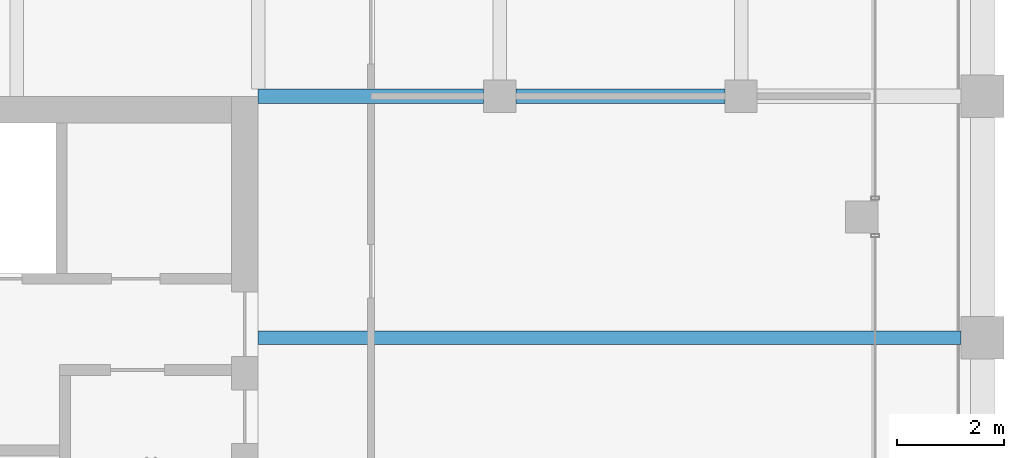
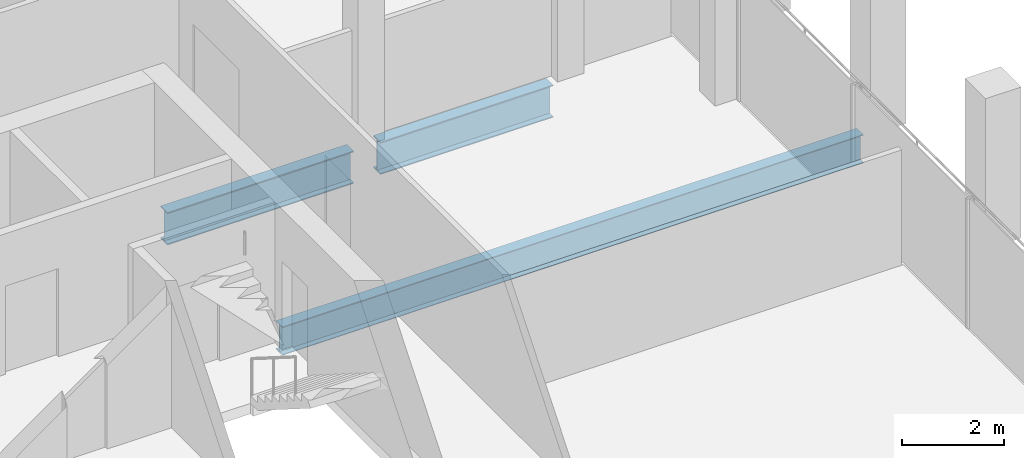
# One storey, part 18 of 30: 3 beams.
"""IFC4 building model written with IfcOpenShell, lengths in metres."""

from ifc_helpers import new_model, si_unit, direction, frame, origin, origin_2d, place, context, subcontext, project, spatial, i_section, extrude, material, material_profile, profile_set, type_object, element, save


model = new_model("IFC4")

# Units and contexts
model_context = context("Model", 3, precision=1e-05, world=origin(), true_north=direction((0.0, 1.0)))
body_context = subcontext(model_context, "Body", "Model", "MODEL_VIEW")
ifc_project = project(units=[si_unit("LENGTHUNIT", "METRE"), si_unit("AREAUNIT", "SQUARE_METRE"), si_unit("VOLUMEUNIT", "CUBIC_METRE"), si_unit("PLANEANGLEUNIT", "RADIAN"), si_unit("MASSUNIT", "GRAM", prefix="KILO")], contexts=[model_context])

# Site, building, storey
site_placement = place(None, origin())
site = spatial("IfcSite", under=ifc_project, at=site_placement, CompositionType="ELEMENT")
building_placement = place(site_placement, origin())
building = spatial("IfcBuilding", under=site, at=building_placement, Name="Altepetl Exchange Towers", CompositionType="ELEMENT")
storey_placement = place(building_placement, frame((0.0, 0.0, 231.60009765625)))
storey = spatial("IfcBuildingStorey", under=building, at=storey_placement, Name="L59", CompositionType="ELEMENT", Elevation=231.60009765625)

# Beams
ifc_material = material(Name="Steel S355", Category="steel")
ifc_material_profile_1 = material_profile(ifc_material, i_section(OverallWidth=0.2529296875, OverallDepth=0.677978515625, WebThickness=0.01171875, FlangeThickness=0.016357421875, at=origin_2d()), Name="W27X84")
ifc_profile_set_1 = profile_set([ifc_material_profile_1], Name="Steel S355")
beam_type_1 = type_object("IfcBeamType", Name="Floor beam W27X84", PredefinedType="BEAM", material=ifc_profile_set_1)
beam_1_placement = place(storey_placement, frame((58.5, 54.0, -0.489013671875), z_axis=(1.0, 0.0, 0.0), x_axis=(0.0, 1.0, 0.0)))
element("IfcBeam", 1, at=beam_1_placement, inside=storey, type_object=beam_type_1, Name="bm:A:L59:011", PredefinedType="BEAM", context=body_context, shape_type="SweptSolid", body=[
    extrude(i_section(OverallWidth=0.2529296875, OverallDepth=0.677978515625, WebThickness=0.01171875, FlangeThickness=0.016357421875, at=origin_2d()), origin(), (0.0, 0.0, 1.0), 13.10009765625),
])
ifc_material_profile_2 = material_profile(ifc_material, i_section(OverallWidth=0.26806640625, OverallDepth=0.77392578125, WebThickness=0.015380859375, FlangeThickness=0.025390625, at=origin_2d()), Name="W30X132")
ifc_profile_set_2 = profile_set([ifc_material_profile_2], Name="Steel S355")
beam_type_2 = type_object("IfcBeamType", Name="Girder W30X132", PredefinedType="BEAM", material=ifc_profile_set_2)
beam_2_placement = place(storey_placement, frame((58.5, 58.5, -0.537109375), z_axis=(1.0, 0.0, 0.0), x_axis=(0.0, 1.0, 0.0)))
element("IfcBeam", 2, at=beam_2_placement, inside=storey, type_object=beam_type_2, Name="gd:A:L59:000", PredefinedType="BEAM", context=body_context, shape_type="SweptSolid", body=[
    extrude(i_section(OverallWidth=0.26806640625, OverallDepth=0.77392578125, WebThickness=0.015380859375, FlangeThickness=0.025390625, at=origin_2d()), origin(), (0.0, 0.0, 1.0), 4.199951171875),
])
beam_3_placement = place(storey_placement, frame((63.300048828125, 58.5, -0.537109375), z_axis=(1.0, 0.0, 0.0), x_axis=(0.0, 1.0, 0.0)))
element("IfcBeam", 3, at=beam_3_placement, inside=storey, type_object=beam_type_2, Name="gd:A:L59:001", PredefinedType="BEAM", context=body_context, shape_type="SweptSolid", body=[
    extrude(i_section(OverallWidth=0.26806640625, OverallDepth=0.77392578125, WebThickness=0.015380859375, FlangeThickness=0.025390625, at=origin_2d()), origin(), (0.0, 0.0, 1.0), 3.89990234375),
])

save(model, "model.ifc")
